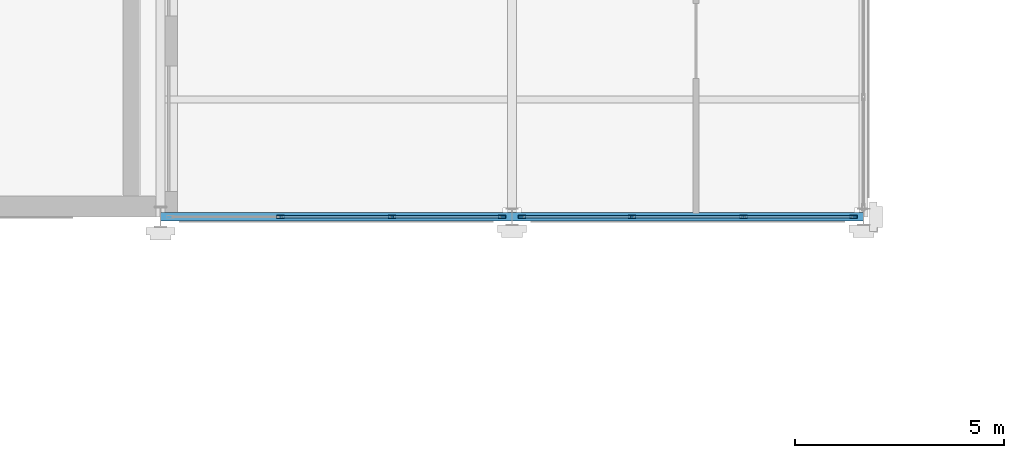
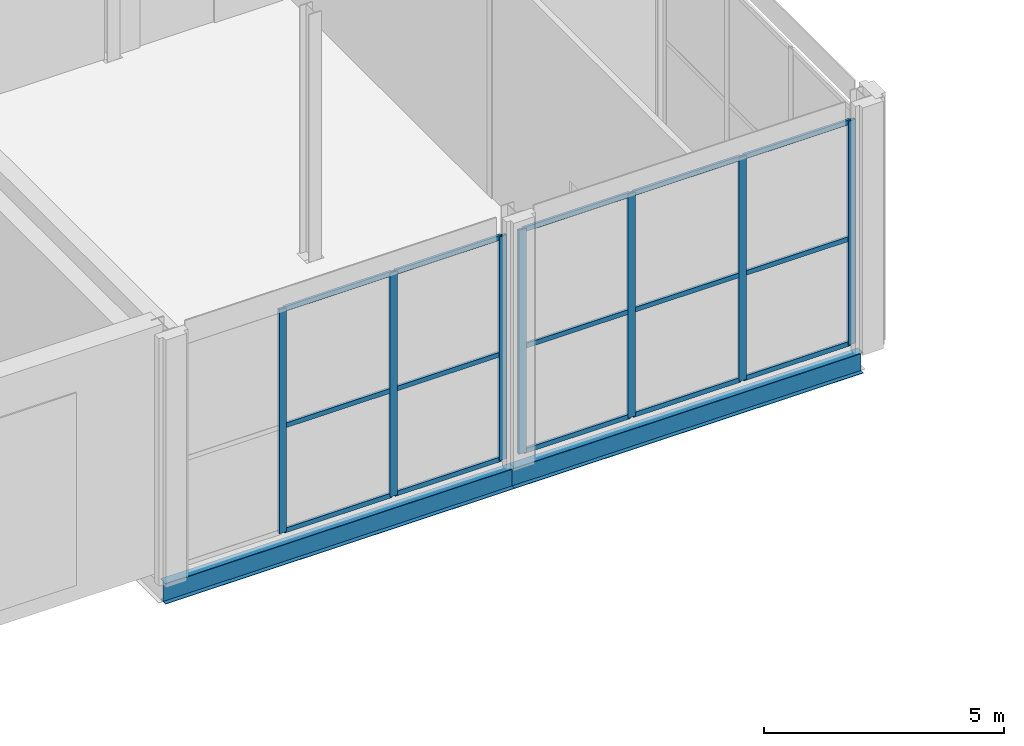
# One storey, part 22 of 77: 22 members, 2 beams, 2 elements without a shape of their own.
"""IFC4 building model written with IfcOpenShell, lengths in metres."""

from ifc_helpers import new_model, si_unit, direction, frame, origin, origin_2d, place, context, subcontext, project, spatial, hollow_rectangle, i_section, extrude, material, material_profile, profile_set, type_object, element, aggregate, save


model = new_model("IFC4")

# Units and contexts
model_context = context("Model", 3, precision=1e-05, world=origin(), true_north=direction((0.0, 1.0)))
body_context = subcontext(model_context, "Body", "Model", "MODEL_VIEW")
ifc_project = project(units=[si_unit("LENGTHUNIT", "METRE"), si_unit("AREAUNIT", "SQUARE_METRE"), si_unit("VOLUMEUNIT", "CUBIC_METRE"), si_unit("PLANEANGLEUNIT", "RADIAN"), si_unit("MASSUNIT", "GRAM", prefix="KILO")], contexts=[model_context])

# Site, building, storey
site_placement = place(None, origin())
site = spatial("IfcSite", under=ifc_project, at=site_placement, CompositionType="ELEMENT")
building_placement = place(site_placement, origin())
building = spatial("IfcBuilding", under=site, at=building_placement, Name="Catenary Quay Ferry Terminal", CompositionType="ELEMENT")
storey_placement = place(building_placement, frame((0.0, 0.0, 10.800048828125)))
storey = spatial("IfcBuildingStorey", under=building, at=storey_placement, Name="L02", CompositionType="ELEMENT", Elevation=10.800048828125)

# Beams
ifc_material_1 = material(Name="Steel S355", Category="steel")
ifc_material_profile_1 = material_profile(ifc_material_1, i_section(OverallWidth=0.208740234375, OverallDepth=0.5283203125, WebThickness=0.009521484375, FlangeThickness=0.01318359375, at=origin_2d()), Name="UB 533x210x82")
ifc_profile_set_1 = profile_set([ifc_material_profile_1], Name="Steel S355")
beam_type = type_object("IfcBeamType", Name="B5 UB 533x210x82", PredefinedType="BEAM", material=ifc_profile_set_1)
beam_1_placement = place(storey_placement, frame((50.39990234375, 159.60009765625, -0.51416015625), z_axis=(1.0, 0.0, 0.0), x_axis=(0.0, 1.0, 0.0)))
element("IfcBeam", 1, at=beam_1_placement, inside=storey, type_object=beam_type, Name="Beam B5-001", PredefinedType="BEAM", context=body_context, shape_type="SweptSolid", body=[
    extrude(i_section(OverallWidth=0.208740234375, OverallDepth=0.5283203125, WebThickness=0.009521484375, FlangeThickness=0.01318359375, at=origin_2d()), origin(), (0.0, 0.0, 1.0), 8.400146484375),
])
beam_2_placement = place(storey_placement, frame((58.800048828125, 159.60009765625, -0.51416015625), z_axis=(1.0, 0.0, 0.0), x_axis=(0.0, 1.0, 0.0)))
element("IfcBeam", 2, at=beam_2_placement, inside=storey, type_object=beam_type, Name="Beam B5-002", PredefinedType="BEAM", context=body_context, shape_type="SweptSolid", body=[
    extrude(i_section(OverallWidth=0.208740234375, OverallDepth=0.5283203125, WebThickness=0.009521484375, FlangeThickness=0.01318359375, at=origin_2d()), origin(), (0.0, 0.0, 1.0), 8.39990234375),
])

# Curtain wall, members
ifc_material_2 = material(Name="Aluminium and glass", Category="aluminium")
curtain_wall_type = type_object("IfcCurtainWallType", Name="CWW2", PredefinedType="NOTDEFINED", material=ifc_material_2)
curtain_wall_1_placement = place(storey_placement, origin())
curtain_wall_1 = element("IfcCurtainWall", 3, at=curtain_wall_1_placement, inside=storey, type_object=curtain_wall_type, Name="Wing curtain wall CW142", PredefinedType="NOTDEFINED")
ifc_material_3 = material(Name="Aluminium", Category="aluminium")
ifc_material_profile_2 = material_profile(ifc_material_3, hollow_rectangle(XDim=0.070068359375, YDim=0.179931640625, WallThickness=0.006103515625, at=origin_2d()), Name="MU3")
ifc_profile_set_2 = profile_set([ifc_material_profile_2], Name="Aluminium")
member_type_1 = type_object("IfcMemberType", Name="MU3", PredefinedType="MULLION", material=ifc_profile_set_2)
member_1_placement = place(storey_placement, frame((53.2666015625, 159.60009765625, 0.0), z_axis=(0.0, 0.0, 1.0), x_axis=(0.0, 1.0, 0.0)))
member_1 = element("IfcMember", 4, at=member_1_placement, type_object=member_type_1, Name="CW142 mullion 2", PredefinedType="MULLION", context=body_context, shape_type="SweptSolid", body=[
    extrude(hollow_rectangle(XDim=0.070068359375, YDim=0.179931640625, WallThickness=0.006103515625, at=origin_2d()), origin(), (0.0, 0.0, 1.0), 5.699951171875),
])
member_2_placement = place(storey_placement, frame((55.933349609375, 159.60009765625, 0.0), z_axis=(0.0, 0.0, 1.0), x_axis=(0.0, 1.0, 0.0)))
member_2 = element("IfcMember", 5, at=member_2_placement, type_object=member_type_1, Name="CW142 mullion 3", PredefinedType="MULLION", context=body_context, shape_type="SweptSolid", body=[
    extrude(hollow_rectangle(XDim=0.070068359375, YDim=0.179931640625, WallThickness=0.006103515625, at=origin_2d()), origin(), (0.0, 0.0, 1.0), 5.699951171875),
])
member_3_placement = place(storey_placement, frame((58.56494140625, 159.60009765625, 0.0), z_axis=(0.0, 0.0, 1.0), x_axis=(0.0, 1.0, 0.0)))
member_3 = element("IfcMember", 6, at=member_3_placement, type_object=member_type_1, Name="CW142 mullion 4", PredefinedType="MULLION", context=body_context, shape_type="SweptSolid", body=[
    extrude(hollow_rectangle(XDim=0.070068359375, YDim=0.179931640625, WallThickness=0.006103515625, at=origin_2d()), origin(), (0.0, 0.0, 1.0), 5.699951171875),
])

curtain_wall_2_placement = place(storey_placement, origin())
curtain_wall_2 = element("IfcCurtainWall", 7, at=curtain_wall_2_placement, inside=storey, type_object=curtain_wall_type, Name="Wing curtain wall CW143", PredefinedType="NOTDEFINED")
member_4_placement = place(storey_placement, frame((59.034912109375, 159.60009765625, 0.0), z_axis=(0.0, 0.0, 1.0), x_axis=(0.0, 1.0, 0.0)))
member_4 = element("IfcMember", 8, at=member_4_placement, type_object=member_type_1, Name="CW143 mullion 1", PredefinedType="MULLION", context=body_context, shape_type="SweptSolid", body=[
    extrude(hollow_rectangle(XDim=0.070068359375, YDim=0.179931640625, WallThickness=0.006103515625, at=origin_2d()), origin(), (0.0, 0.0, 1.0), 5.699951171875),
])
member_5_placement = place(storey_placement, frame((61.666748046875, 159.60009765625, 0.0), z_axis=(0.0, 0.0, 1.0), x_axis=(0.0, 1.0, 0.0)))
member_5 = element("IfcMember", 9, at=member_5_placement, type_object=member_type_1, Name="CW143 mullion 2", PredefinedType="MULLION", context=body_context, shape_type="SweptSolid", body=[
    extrude(hollow_rectangle(XDim=0.070068359375, YDim=0.179931640625, WallThickness=0.006103515625, at=origin_2d()), origin(), (0.0, 0.0, 1.0), 5.699951171875),
])
member_6_placement = place(storey_placement, frame((64.333251953125, 159.60009765625, 0.0), z_axis=(0.0, 0.0, 1.0), x_axis=(0.0, 1.0, 0.0)))
member_6 = element("IfcMember", 10, at=member_6_placement, type_object=member_type_1, Name="CW143 mullion 3", PredefinedType="MULLION", context=body_context, shape_type="SweptSolid", body=[
    extrude(hollow_rectangle(XDim=0.070068359375, YDim=0.179931640625, WallThickness=0.006103515625, at=origin_2d()), origin(), (0.0, 0.0, 1.0), 5.699951171875),
])
member_7_placement = place(storey_placement, frame((66.965087890625, 159.60009765625, 0.0), z_axis=(0.0, 0.0, 1.0), x_axis=(0.0, 1.0, 0.0)))
member_7 = element("IfcMember", 11, at=member_7_placement, type_object=member_type_1, Name="CW143 mullion 4", PredefinedType="MULLION", context=body_context, shape_type="SweptSolid", body=[
    extrude(hollow_rectangle(XDim=0.070068359375, YDim=0.179931640625, WallThickness=0.006103515625, at=origin_2d()), origin(), (0.0, 0.0, 1.0), 5.699951171875),
])

# Member
ifc_material_4 = material(Name="Aluminium", Category="aluminium")
ifc_material_profile_3 = material_profile(ifc_material_4, hollow_rectangle(XDim=0.06005859375, YDim=0.1201171875, WallThickness=0.0048828125, at=origin_2d()), Name="TR3")
ifc_profile_set_3 = profile_set([ifc_material_profile_3], Name="Aluminium")
member_type_2 = type_object("IfcMemberType", Name="TR3", PredefinedType="USERDEFINED", material=ifc_profile_set_3)
member_8_placement = place(storey_placement, frame((53.3017578125, 159.60009765625, 0.030029296875), z_axis=(1.0, 0.0, 0.0), x_axis=(0.0, 1.0, 0.0)))
member_8 = element("IfcMember", 12, at=member_8_placement, type_object=member_type_2, Name="CW142 transom 2.1", ObjectType="TRANSOM", PredefinedType="USERDEFINED", context=body_context, shape_type="SweptSolid", body=[
    extrude(hollow_rectangle(XDim=0.06005859375, YDim=0.1201171875, WallThickness=0.0048828125, at=origin_2d()), origin(), (0.0, 0.0, 1.0), 2.5966796875),
])

member_9_placement = place(storey_placement, frame((53.3017578125, 159.60009765625, 2.699951171875), z_axis=(1.0, 0.0, 0.0), x_axis=(0.0, 1.0, 0.0)))
member_9 = element("IfcMember", 13, at=member_9_placement, type_object=member_type_2, Name="CW142 transom 2.2", ObjectType="TRANSOM", PredefinedType="USERDEFINED", context=body_context, shape_type="SweptSolid", body=[
    extrude(hollow_rectangle(XDim=0.06005859375, YDim=0.1201171875, WallThickness=0.0048828125, at=origin_2d()), origin(), (0.0, 0.0, 1.0), 2.5966796875),
])

member_10_placement = place(storey_placement, frame((53.3017578125, 159.60009765625, 5.669921875), z_axis=(1.0, 0.0, 0.0), x_axis=(0.0, 1.0, 0.0)))
member_10 = element("IfcMember", 14, at=member_10_placement, type_object=member_type_2, Name="CW142 transom 2.3", ObjectType="TRANSOM", PredefinedType="USERDEFINED", context=body_context, shape_type="SweptSolid", body=[
    extrude(hollow_rectangle(XDim=0.06005859375, YDim=0.1201171875, WallThickness=0.0048828125, at=origin_2d()), origin(), (0.0, 0.0, 1.0), 2.5966796875),
])

member_11_placement = place(storey_placement, frame((55.96826171875, 159.60009765625, 0.030029296875), z_axis=(1.0, 0.0, 0.0), x_axis=(0.0, 1.0, 0.0)))
member_11 = element("IfcMember", 15, at=member_11_placement, type_object=member_type_2, Name="CW142 transom 3.1", ObjectType="TRANSOM", PredefinedType="USERDEFINED", context=body_context, shape_type="SweptSolid", body=[
    extrude(hollow_rectangle(XDim=0.06005859375, YDim=0.1201171875, WallThickness=0.0048828125, at=origin_2d()), origin(), (0.0, 0.0, 1.0), 2.561767578125),
])

member_12_placement = place(storey_placement, frame((55.96826171875, 159.60009765625, 2.699951171875), z_axis=(1.0, 0.0, 0.0), x_axis=(0.0, 1.0, 0.0)))
member_12 = element("IfcMember", 16, at=member_12_placement, type_object=member_type_2, Name="CW142 transom 3.2", ObjectType="TRANSOM", PredefinedType="USERDEFINED", context=body_context, shape_type="SweptSolid", body=[
    extrude(hollow_rectangle(XDim=0.06005859375, YDim=0.1201171875, WallThickness=0.0048828125, at=origin_2d()), origin(), (0.0, 0.0, 1.0), 2.561767578125),
])

member_13_placement = place(storey_placement, frame((55.96826171875, 159.60009765625, 5.669921875), z_axis=(1.0, 0.0, 0.0), x_axis=(0.0, 1.0, 0.0)))
member_13 = element("IfcMember", 17, at=member_13_placement, type_object=member_type_2, Name="CW142 transom 3.3", ObjectType="TRANSOM", PredefinedType="USERDEFINED", context=body_context, shape_type="SweptSolid", body=[
    extrude(hollow_rectangle(XDim=0.06005859375, YDim=0.1201171875, WallThickness=0.0048828125, at=origin_2d()), origin(), (0.0, 0.0, 1.0), 2.561767578125),
])

aggregate(curtain_wall_1, [member_1, member_2, member_3, member_8, member_9, member_10, member_11, member_12, member_13])

member_14_placement = place(storey_placement, frame((59.070068359375, 159.60009765625, 0.030029296875), z_axis=(1.0, 0.0, 0.0), x_axis=(0.0, 1.0, 0.0)))
member_14 = element("IfcMember", 18, at=member_14_placement, type_object=member_type_2, Name="CW143 transom 1.1", ObjectType="TRANSOM", PredefinedType="USERDEFINED", context=body_context, shape_type="SweptSolid", body=[
    extrude(hollow_rectangle(XDim=0.06005859375, YDim=0.1201171875, WallThickness=0.0048828125, at=origin_2d()), origin(), (0.0, 0.0, 1.0), 2.5615234375),
])

member_15_placement = place(storey_placement, frame((59.070068359375, 159.60009765625, 2.699951171875), z_axis=(1.0, 0.0, 0.0), x_axis=(0.0, 1.0, 0.0)))
member_15 = element("IfcMember", 19, at=member_15_placement, type_object=member_type_2, Name="CW143 transom 1.2", ObjectType="TRANSOM", PredefinedType="USERDEFINED", context=body_context, shape_type="SweptSolid", body=[
    extrude(hollow_rectangle(XDim=0.06005859375, YDim=0.1201171875, WallThickness=0.0048828125, at=origin_2d()), origin(), (0.0, 0.0, 1.0), 2.5615234375),
])

member_16_placement = place(storey_placement, frame((59.070068359375, 159.60009765625, 5.669921875), z_axis=(1.0, 0.0, 0.0), x_axis=(0.0, 1.0, 0.0)))
member_16 = element("IfcMember", 20, at=member_16_placement, type_object=member_type_2, Name="CW143 transom 1.3", ObjectType="TRANSOM", PredefinedType="USERDEFINED", context=body_context, shape_type="SweptSolid", body=[
    extrude(hollow_rectangle(XDim=0.06005859375, YDim=0.1201171875, WallThickness=0.0048828125, at=origin_2d()), origin(), (0.0, 0.0, 1.0), 2.5615234375),
])

member_17_placement = place(storey_placement, frame((61.70166015625, 159.60009765625, 0.030029296875), z_axis=(1.0, 0.0, 0.0), x_axis=(0.0, 1.0, 0.0)))
member_17 = element("IfcMember", 21, at=member_17_placement, type_object=member_type_2, Name="CW143 transom 2.1", ObjectType="TRANSOM", PredefinedType="USERDEFINED", context=body_context, shape_type="SweptSolid", body=[
    extrude(hollow_rectangle(XDim=0.06005859375, YDim=0.1201171875, WallThickness=0.0048828125, at=origin_2d()), origin(), (0.0, 0.0, 1.0), 2.5966796875),
])

member_18_placement = place(storey_placement, frame((61.70166015625, 159.60009765625, 2.699951171875), z_axis=(1.0, 0.0, 0.0), x_axis=(0.0, 1.0, 0.0)))
member_18 = element("IfcMember", 22, at=member_18_placement, type_object=member_type_2, Name="CW143 transom 2.2", ObjectType="TRANSOM", PredefinedType="USERDEFINED", context=body_context, shape_type="SweptSolid", body=[
    extrude(hollow_rectangle(XDim=0.06005859375, YDim=0.1201171875, WallThickness=0.0048828125, at=origin_2d()), origin(), (0.0, 0.0, 1.0), 2.5966796875),
])

member_19_placement = place(storey_placement, frame((61.70166015625, 159.60009765625, 5.669921875), z_axis=(1.0, 0.0, 0.0), x_axis=(0.0, 1.0, 0.0)))
member_19 = element("IfcMember", 23, at=member_19_placement, type_object=member_type_2, Name="CW143 transom 2.3", ObjectType="TRANSOM", PredefinedType="USERDEFINED", context=body_context, shape_type="SweptSolid", body=[
    extrude(hollow_rectangle(XDim=0.06005859375, YDim=0.1201171875, WallThickness=0.0048828125, at=origin_2d()), origin(), (0.0, 0.0, 1.0), 2.5966796875),
])

member_20_placement = place(storey_placement, frame((64.368408203125, 159.60009765625, 0.030029296875), z_axis=(1.0, 0.0, 0.0), x_axis=(0.0, 1.0, 0.0)))
member_20 = element("IfcMember", 24, at=member_20_placement, type_object=member_type_2, Name="CW143 transom 3.1", ObjectType="TRANSOM", PredefinedType="USERDEFINED", context=body_context, shape_type="SweptSolid", body=[
    extrude(hollow_rectangle(XDim=0.06005859375, YDim=0.1201171875, WallThickness=0.0048828125, at=origin_2d()), origin(), (0.0, 0.0, 1.0), 2.5615234375),
])

member_21_placement = place(storey_placement, frame((64.368408203125, 159.60009765625, 2.699951171875), z_axis=(1.0, 0.0, 0.0), x_axis=(0.0, 1.0, 0.0)))
member_21 = element("IfcMember", 25, at=member_21_placement, type_object=member_type_2, Name="CW143 transom 3.2", ObjectType="TRANSOM", PredefinedType="USERDEFINED", context=body_context, shape_type="SweptSolid", body=[
    extrude(hollow_rectangle(XDim=0.06005859375, YDim=0.1201171875, WallThickness=0.0048828125, at=origin_2d()), origin(), (0.0, 0.0, 1.0), 2.5615234375),
])

member_22_placement = place(storey_placement, frame((64.368408203125, 159.60009765625, 5.669921875), z_axis=(1.0, 0.0, 0.0), x_axis=(0.0, 1.0, 0.0)))
member_22 = element("IfcMember", 26, at=member_22_placement, type_object=member_type_2, Name="CW143 transom 3.3", ObjectType="TRANSOM", PredefinedType="USERDEFINED", context=body_context, shape_type="SweptSolid", body=[
    extrude(hollow_rectangle(XDim=0.06005859375, YDim=0.1201171875, WallThickness=0.0048828125, at=origin_2d()), origin(), (0.0, 0.0, 1.0), 2.5615234375),
])

aggregate(curtain_wall_2, [member_4, member_5, member_6, member_7, member_14, member_15, member_16, member_17, member_18, member_19, member_20, member_21, member_22])

save(model, "model.ifc")
